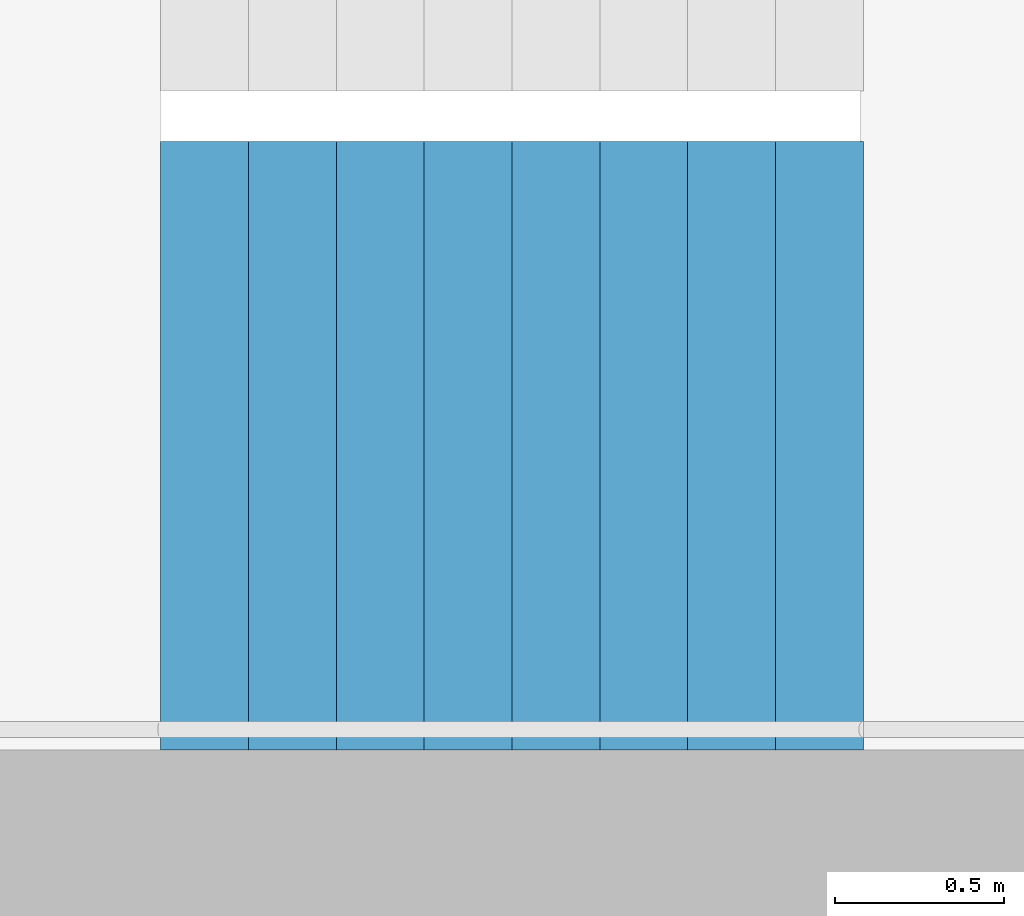
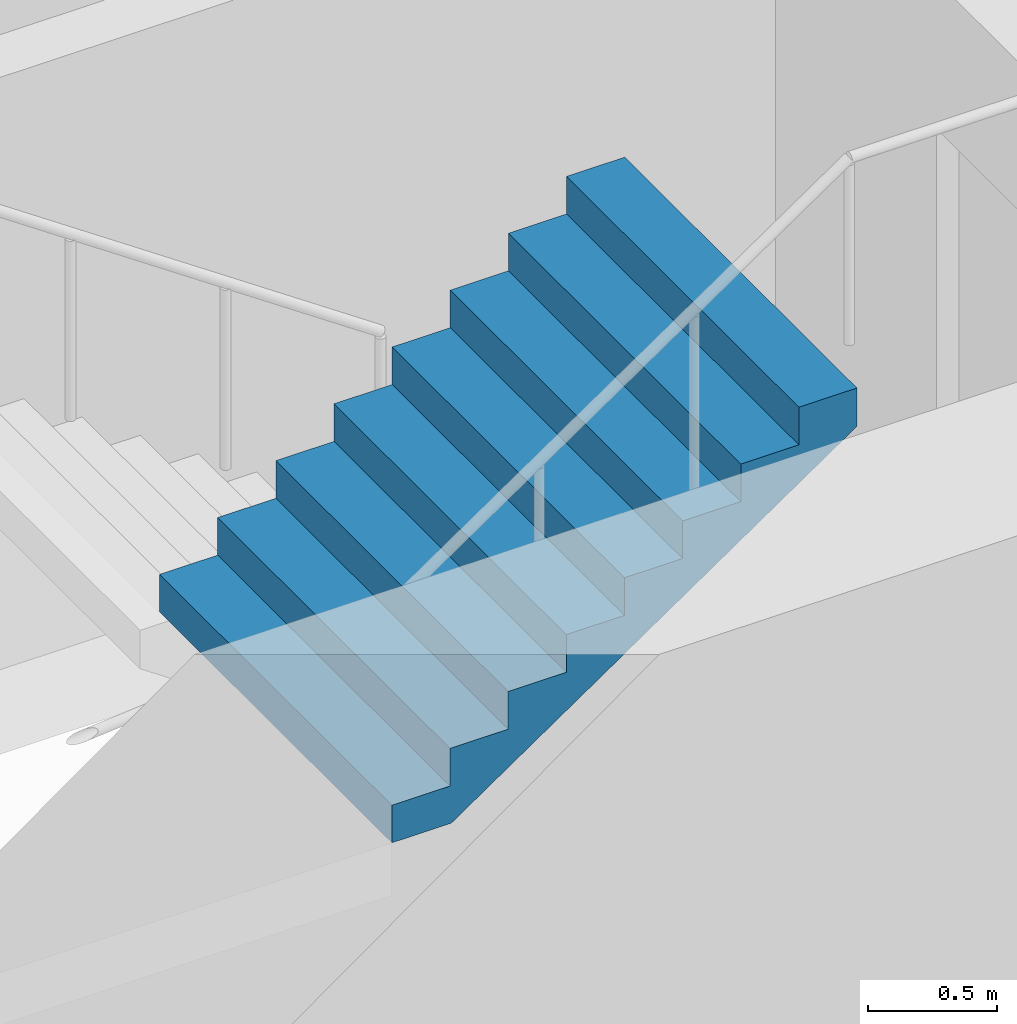
# One storey, part 21 of 29: 1 stair flight, 1 element without a shape of its own.
"""IFC4 building model written with IfcOpenShell, lengths in metres."""

from ifc_helpers import new_model, si_unit, direction, frame, origin, place, context, subcontext, project, spatial, triangles, material, type_object, element, aggregate, save


model = new_model("IFC4")

# Units and contexts
model_context = context("Model", 3, precision=1e-05, world=origin(), true_north=direction((0.0, 1.0)))
body_context = subcontext(model_context, "Body", "Model", "MODEL_VIEW")
ifc_project = project(units=[si_unit("LENGTHUNIT", "METRE"), si_unit("AREAUNIT", "SQUARE_METRE"), si_unit("VOLUMEUNIT", "CUBIC_METRE"), si_unit("PLANEANGLEUNIT", "RADIAN"), si_unit("MASSUNIT", "GRAM", prefix="KILO")], contexts=[model_context])

# Site, building, storey
site_placement = place(None, origin())
site = spatial("IfcSite", under=ifc_project, at=site_placement, CompositionType="ELEMENT")
building_placement = place(site_placement, origin())
building = spatial("IfcBuilding", under=site, at=building_placement, Name="Hakoniwa Tower and Hamabe Station Hall", CompositionType="ELEMENT")
storey_placement = place(building_placement, frame((0.0, 0.0, 75.39990234375)))
storey = spatial("IfcBuildingStorey", under=building, at=storey_placement, Name="L20", CompositionType="ELEMENT", Elevation=75.39990234375)

# Stair, stair flight
ifc_material_1 = material(Name="Concrete C40", Category="concrete")
stair_type = type_object("IfcStairType", Name="ESCAPE STAIR 1800", PredefinedType="HALF_TURN_STAIR", material=ifc_material_1)
stair_placement = place(storey_placement, origin())
stair = element("IfcStair", 1, at=stair_placement, inside=storey, type_object=stair_type, Name="Escape stair ST-2 L20", PredefinedType="HALF_TURN_STAIR")
ifc_material_2 = material(Name="Concrete C40", Category="concrete")
stair_flight_type = type_object("IfcStairFlightType", Name="STAIR FLIGHT 1800", PredefinedType="STRAIGHT", material=ifc_material_2)
stair_flight_placement = place(storey_placement, frame((-25.47998046875, -6.60009765625, 1.60009765625), z_axis=(0.0, 0.0, 1.0), x_axis=(1.0, 0.0, 0.0)))
stair_flight = element("IfcStairFlight", 2, at=stair_flight_placement, type_object=stair_flight_type, Name="ST-2 flight 2", NumberOfRisers=9, NumberOfTreads=8, PredefinedType="STRAIGHT", RiserHeight=0.177777778, TreadLength=0.26, context=body_context, shape_type="Tessellation", body=[
    triangles([(0.0, 0.89990234375, 0.0), (0.260009765625, 0.89990234375, 0.0), (0.265625, 0.89990234375, 0.0), (0.52001953125, 0.89990234375, 0.174072265625), (0.780029296875, 0.89990234375, 0.351806640625), (1.0400390625, 0.89990234375, 0.529541015625), (1.300048828125, 0.89990234375, 0.707275390625), (1.56005859375, 0.89990234375, 0.885009765625), (1.820068359375, 0.89990234375, 1.062744140625), (2.080078125, 0.89990234375, 1.24072265625), (2.080078125, 0.89990234375, 1.422119140625), (1.820068359375, 0.89990234375, 1.422119140625), (1.820068359375, 0.89990234375, 1.244384765625), (1.56005859375, 0.89990234375, 1.244384765625), (1.56005859375, 0.89990234375, 1.066650390625), (1.300048828125, 0.89990234375, 1.066650390625), (1.300048828125, 0.89990234375, 0.888916015625), (1.0400390625, 0.89990234375, 0.888916015625), (1.0400390625, 0.89990234375, 0.711181640625), (0.780029296875, 0.89990234375, 0.711181640625), (0.780029296875, 0.89990234375, 0.533447265625), (0.52001953125, 0.89990234375, 0.533447265625), (0.52001953125, 0.89990234375, 0.35546875), (0.265625, 0.89990234375, 0.35546875), (0.260009765625, 0.89990234375, 0.35546875), (0.260009765625, 0.89990234375, 0.177734375), (0.0, 0.89990234375, 0.177734375), (0.0, 0.06005859375, 0.0), (0.260009765625, 0.06005859375, 0.0), (0.265625, 0.06005859375, 0.0), (0.52001953125, 0.06005859375, 0.174072265625), (0.780029296875, 0.06005859375, 0.351806640625), (1.0400390625, 0.06005859375, 0.529541015625), (1.300048828125, 0.06005859375, 0.707275390625), (1.56005859375, 0.06005859375, 0.885009765625), (1.820068359375, 0.06005859375, 1.062744140625), (2.080078125, 0.06005859375, 1.24072265625), (2.080078125, 0.06005859375, 1.422119140625), (1.820068359375, 0.06005859375, 1.422119140625), (1.820068359375, 0.06005859375, 1.244384765625), (1.56005859375, 0.06005859375, 1.244384765625), (1.56005859375, 0.06005859375, 1.066650390625), (1.300048828125, 0.06005859375, 1.066650390625), (1.300048828125, 0.06005859375, 0.888916015625), (1.0400390625, 0.06005859375, 0.888916015625), (1.0400390625, 0.06005859375, 0.711181640625), (0.780029296875, 0.06005859375, 0.711181640625), (0.780029296875, 0.06005859375, 0.533447265625), (0.52001953125, 0.06005859375, 0.533447265625), (0.52001953125, 0.06005859375, 0.35546875), (0.265625, 0.06005859375, 0.35546875), (0.260009765625, 0.06005859375, 0.35546875), (0.260009765625, 0.06005859375, 0.177734375), (0.0, 0.06005859375, 0.177734375), (0.0, 0.04296875, 0.0), (0.260009765625, 0.04296875, 0.0), (0.265625, 0.04296875, 0.0), (0.52001953125, 0.04296875, 0.174072265625), (0.780029296875, 0.04296875, 0.351806640625), (1.0400390625, 0.04296875, 0.529541015625), (1.300048828125, 0.04296875, 0.707275390625), (1.56005859375, 0.04296875, 0.885009765625), (1.820068359375, 0.04296875, 1.062744140625), (2.080078125, 0.04296875, 1.24072265625), (2.080078125, 0.04296875, 1.422119140625), (1.820068359375, 0.04296875, 1.422119140625), (1.820068359375, 0.04296875, 1.244384765625), (1.56005859375, 0.04296875, 1.244384765625), (1.56005859375, 0.04296875, 1.066650390625), (1.300048828125, 0.04296875, 1.066650390625), (1.300048828125, 0.04296875, 0.888916015625), (1.0400390625, 0.04296875, 0.888916015625), (1.0400390625, 0.04296875, 0.711181640625), (0.780029296875, 0.04296875, 0.711181640625), (0.780029296875, 0.04296875, 0.533447265625), (0.52001953125, 0.04296875, 0.533447265625), (0.52001953125, 0.04296875, 0.35546875), (0.265625, 0.04296875, 0.35546875), (0.260009765625, 0.04296875, 0.35546875), (0.260009765625, 0.04296875, 0.177734375), (0.0, 0.04296875, 0.177734375), (0.0, 0.025634765625, 0.0), (0.260009765625, 0.025634765625, 0.0), (0.265625, 0.025634765625, 0.0), (0.52001953125, 0.025634765625, 0.174072265625), (0.780029296875, 0.025634765625, 0.351806640625), (1.0400390625, 0.025634765625, 0.529541015625), (1.300048828125, 0.025634765625, 0.707275390625), (1.56005859375, 0.025634765625, 0.885009765625), (1.820068359375, 0.025634765625, 1.062744140625), (2.080078125, 0.025634765625, 1.24072265625), (2.080078125, 0.025634765625, 1.422119140625), (1.820068359375, 0.025634765625, 1.422119140625), (1.820068359375, 0.025634765625, 1.244384765625), (1.56005859375, 0.025634765625, 1.244384765625), (1.56005859375, 0.025634765625, 1.066650390625), (1.300048828125, 0.025634765625, 1.066650390625), (1.300048828125, 0.025634765625, 0.888916015625), (1.0400390625, 0.025634765625, 0.888916015625), (1.0400390625, 0.025634765625, 0.711181640625), (0.780029296875, 0.025634765625, 0.711181640625), (0.780029296875, 0.025634765625, 0.533447265625), (0.52001953125, 0.025634765625, 0.533447265625), (0.52001953125, 0.025634765625, 0.35546875), (0.265625, 0.025634765625, 0.35546875), (0.260009765625, 0.025634765625, 0.35546875), (0.260009765625, 0.025634765625, 0.177734375), (0.0, 0.025634765625, 0.177734375), (0.0, 0.008544921875, 0.0), (0.260009765625, 0.008544921875, 0.0), (0.265625, 0.008544921875, 0.0), (0.52001953125, 0.008544921875, 0.174072265625), (0.780029296875, 0.008544921875, 0.351806640625), (1.0400390625, 0.008544921875, 0.529541015625), (1.300048828125, 0.008544921875, 0.707275390625), (1.56005859375, 0.008544921875, 0.885009765625), (1.820068359375, 0.008544921875, 1.062744140625), (2.080078125, 0.008544921875, 1.24072265625), (2.080078125, 0.008544921875, 1.422119140625), (1.820068359375, 0.008544921875, 1.422119140625), (1.820068359375, 0.008544921875, 1.244384765625), (1.56005859375, 0.008544921875, 1.244384765625), (1.56005859375, 0.008544921875, 1.066650390625), (1.300048828125, 0.008544921875, 1.066650390625), (1.300048828125, 0.008544921875, 0.888916015625), (1.0400390625, 0.008544921875, 0.888916015625), (1.0400390625, 0.008544921875, 0.711181640625), (0.780029296875, 0.008544921875, 0.711181640625), (0.780029296875, 0.008544921875, 0.533447265625), (0.52001953125, 0.008544921875, 0.533447265625), (0.52001953125, 0.008544921875, 0.35546875), (0.265625, 0.008544921875, 0.35546875), (0.260009765625, 0.008544921875, 0.35546875), (0.260009765625, 0.008544921875, 0.177734375), (0.0, 0.008544921875, 0.177734375), (0.0, -0.008544921875, 0.0), (0.260009765625, -0.008544921875, 0.0), (0.265625, -0.008544921875, 0.0), (0.52001953125, -0.008544921875, 0.174072265625), (0.780029296875, -0.008544921875, 0.351806640625), (1.0400390625, -0.008544921875, 0.529541015625), (1.300048828125, -0.008544921875, 0.707275390625), (1.56005859375, -0.008544921875, 0.885009765625), (1.820068359375, -0.008544921875, 1.062744140625), (2.080078125, -0.008544921875, 1.24072265625), (2.080078125, -0.008544921875, 1.422119140625), (1.820068359375, -0.008544921875, 1.422119140625), (1.820068359375, -0.008544921875, 1.244384765625), (1.56005859375, -0.008544921875, 1.244384765625), (1.56005859375, -0.008544921875, 1.066650390625), (1.300048828125, -0.008544921875, 1.066650390625), (1.300048828125, -0.008544921875, 0.888916015625), (1.0400390625, -0.008544921875, 0.888916015625), (1.0400390625, -0.008544921875, 0.711181640625), (0.780029296875, -0.008544921875, 0.711181640625), (0.780029296875, -0.008544921875, 0.533447265625), (0.52001953125, -0.008544921875, 0.533447265625), (0.52001953125, -0.008544921875, 0.35546875), (0.265625, -0.008544921875, 0.35546875), (0.260009765625, -0.008544921875, 0.35546875), (0.260009765625, -0.008544921875, 0.177734375), (0.0, -0.008544921875, 0.177734375), (0.0, -0.025634765625, 0.0), (0.260009765625, -0.025634765625, 0.0), (0.265625, -0.025634765625, 0.0), (0.52001953125, -0.025634765625, 0.174072265625), (0.780029296875, -0.025634765625, 0.351806640625), (1.0400390625, -0.025634765625, 0.529541015625), (1.300048828125, -0.025634765625, 0.707275390625), (1.56005859375, -0.025634765625, 0.885009765625), (1.820068359375, -0.025634765625, 1.062744140625), (2.080078125, -0.025634765625, 1.24072265625), (2.080078125, -0.025634765625, 1.422119140625), (1.820068359375, -0.025634765625, 1.422119140625), (1.820068359375, -0.025634765625, 1.244384765625), (1.56005859375, -0.025634765625, 1.244384765625), (1.56005859375, -0.025634765625, 1.066650390625), (1.300048828125, -0.025634765625, 1.066650390625), (1.300048828125, -0.025634765625, 0.888916015625), (1.0400390625, -0.025634765625, 0.888916015625), (1.0400390625, -0.025634765625, 0.711181640625), (0.780029296875, -0.025634765625, 0.711181640625), (0.780029296875, -0.025634765625, 0.533447265625), (0.52001953125, -0.025634765625, 0.533447265625), (0.52001953125, -0.025634765625, 0.35546875), (0.265625, -0.025634765625, 0.35546875), (0.260009765625, -0.025634765625, 0.35546875), (0.260009765625, -0.025634765625, 0.177734375), (0.0, -0.025634765625, 0.177734375), (0.0, -0.04296875, 0.0), (0.260009765625, -0.04296875, 0.0), (0.265625, -0.04296875, 0.0), (0.52001953125, -0.04296875, 0.174072265625), (0.780029296875, -0.04296875, 0.351806640625), (1.0400390625, -0.04296875, 0.529541015625), (1.300048828125, -0.04296875, 0.707275390625), (1.56005859375, -0.04296875, 0.885009765625), (1.820068359375, -0.04296875, 1.062744140625), (2.080078125, -0.04296875, 1.24072265625), (2.080078125, -0.04296875, 1.422119140625), (1.820068359375, -0.04296875, 1.422119140625), (1.820068359375, -0.04296875, 1.244384765625), (1.56005859375, -0.04296875, 1.244384765625), (1.56005859375, -0.04296875, 1.066650390625), (1.300048828125, -0.04296875, 1.066650390625), (1.300048828125, -0.04296875, 0.888916015625), (1.0400390625, -0.04296875, 0.888916015625), (1.0400390625, -0.04296875, 0.711181640625), (0.780029296875, -0.04296875, 0.711181640625), (0.780029296875, -0.04296875, 0.533447265625), (0.52001953125, -0.04296875, 0.533447265625), (0.52001953125, -0.04296875, 0.35546875), (0.265625, -0.04296875, 0.35546875), (0.260009765625, -0.04296875, 0.35546875), (0.260009765625, -0.04296875, 0.177734375), (0.0, -0.04296875, 0.177734375), (0.0, -0.06005859375, 0.0), (0.260009765625, -0.06005859375, 0.0), (0.265625, -0.06005859375, 0.0), (0.52001953125, -0.06005859375, 0.174072265625), (0.780029296875, -0.06005859375, 0.351806640625), (1.0400390625, -0.06005859375, 0.529541015625), (1.300048828125, -0.06005859375, 0.707275390625), (1.56005859375, -0.06005859375, 0.885009765625), (1.820068359375, -0.06005859375, 1.062744140625), (2.080078125, -0.06005859375, 1.24072265625), (2.080078125, -0.06005859375, 1.422119140625), (1.820068359375, -0.06005859375, 1.422119140625), (1.820068359375, -0.06005859375, 1.244384765625), (1.56005859375, -0.06005859375, 1.244384765625), (1.56005859375, -0.06005859375, 1.066650390625), (1.300048828125, -0.06005859375, 1.066650390625), (1.300048828125, -0.06005859375, 0.888916015625), (1.0400390625, -0.06005859375, 0.888916015625), (1.0400390625, -0.06005859375, 0.711181640625), (0.780029296875, -0.06005859375, 0.711181640625), (0.780029296875, -0.06005859375, 0.533447265625), (0.52001953125, -0.06005859375, 0.533447265625), (0.52001953125, -0.06005859375, 0.35546875), (0.265625, -0.06005859375, 0.35546875), (0.260009765625, -0.06005859375, 0.35546875), (0.260009765625, -0.06005859375, 0.177734375), (0.0, -0.06005859375, 0.177734375), (0.0, -0.89990234375, 0.0), (0.260009765625, -0.89990234375, 0.0), (0.265625, -0.89990234375, 0.0), (0.52001953125, -0.89990234375, 0.174072265625), (0.780029296875, -0.89990234375, 0.351806640625), (1.0400390625, -0.89990234375, 0.529541015625), (1.300048828125, -0.89990234375, 0.707275390625), (1.56005859375, -0.89990234375, 0.885009765625), (1.820068359375, -0.89990234375, 1.062744140625), (2.080078125, -0.89990234375, 1.24072265625), (2.080078125, -0.89990234375, 1.422119140625), (1.820068359375, -0.89990234375, 1.422119140625), (1.820068359375, -0.89990234375, 1.244384765625), (1.56005859375, -0.89990234375, 1.244384765625), (1.56005859375, -0.89990234375, 1.066650390625), (1.300048828125, -0.89990234375, 1.066650390625), (1.300048828125, -0.89990234375, 0.888916015625), (1.0400390625, -0.89990234375, 0.888916015625), (1.0400390625, -0.89990234375, 0.711181640625), (0.780029296875, -0.89990234375, 0.711181640625), (0.780029296875, -0.89990234375, 0.533447265625), (0.52001953125, -0.89990234375, 0.533447265625), (0.52001953125, -0.89990234375, 0.35546875), (0.265625, -0.89990234375, 0.35546875), (0.260009765625, -0.89990234375, 0.35546875), (0.260009765625, -0.89990234375, 0.177734375), (0.0, -0.89990234375, 0.177734375)], [[2, 27, 26], [245, 269, 270], [2, 1, 27], [245, 270, 244], [3, 25, 24], [246, 267, 268], [3, 26, 25], [246, 268, 269], [3, 2, 26], [246, 269, 245], [4, 24, 23], [247, 266, 267], [4, 3, 24], [247, 267, 246], [5, 22, 21], [248, 264, 265], [5, 23, 22], [248, 265, 266], [5, 4, 23], [248, 266, 247], [6, 20, 19], [249, 262, 263], [6, 21, 20], [249, 263, 264], [6, 5, 21], [249, 264, 248], [7, 18, 17], [250, 260, 261], [7, 19, 18], [250, 261, 262], [7, 6, 19], [250, 262, 249], [8, 16, 15], [251, 258, 259], [8, 17, 16], [251, 259, 260], [8, 7, 17], [251, 260, 250], [9, 14, 13], [252, 256, 257], [9, 15, 14], [252, 257, 258], [9, 8, 15], [252, 258, 251], [10, 12, 11], [253, 254, 255], [10, 13, 12], [253, 255, 256], [10, 9, 13], [253, 256, 252], [1, 2, 29], [1, 29, 28], [28, 29, 56], [28, 56, 55], [55, 56, 83], [55, 83, 82], [82, 83, 110], [82, 110, 109], [109, 110, 137], [109, 137, 136], [136, 137, 164], [136, 164, 163], [163, 164, 191], [163, 191, 190], [190, 191, 218], [190, 218, 217], [217, 218, 245], [217, 245, 244], [2, 3, 30], [2, 30, 29], [29, 30, 57], [29, 57, 56], [56, 57, 84], [56, 84, 83], [83, 84, 111], [83, 111, 110], [110, 111, 138], [110, 138, 137], [137, 138, 165], [137, 165, 164], [164, 165, 192], [164, 192, 191], [191, 192, 219], [191, 219, 218], [218, 219, 246], [218, 246, 245], [3, 4, 31], [3, 31, 30], [30, 31, 58], [30, 58, 57], [57, 58, 85], [57, 85, 84], [84, 85, 112], [84, 112, 111], [111, 112, 139], [111, 139, 138], [138, 139, 166], [138, 166, 165], [165, 166, 193], [165, 193, 192], [192, 193, 220], [192, 220, 219], [219, 220, 247], [219, 247, 246], [4, 5, 32], [4, 32, 31], [31, 32, 59], [31, 59, 58], [58, 59, 86], [58, 86, 85], [85, 86, 113], [85, 113, 112], [112, 113, 140], [112, 140, 139], [139, 140, 167], [139, 167, 166], [166, 167, 194], [166, 194, 193], [193, 194, 221], [193, 221, 220], [220, 221, 248], [220, 248, 247], [5, 6, 33], [5, 33, 32], [32, 33, 60], [32, 60, 59], [59, 60, 87], [59, 87, 86], [86, 87, 114], [86, 114, 113], [113, 114, 141], [113, 141, 140], [140, 141, 168], [140, 168, 167], [167, 168, 195], [167, 195, 194], [194, 195, 222], [194, 222, 221], [221, 222, 249], [221, 249, 248], [6, 7, 34], [6, 34, 33], [33, 34, 61], [33, 61, 60], [60, 61, 88], [60, 88, 87], [87, 88, 115], [87, 115, 114], [114, 115, 142], [114, 142, 141], [141, 142, 169], [141, 169, 168], [168, 169, 196], [168, 196, 195], [195, 196, 223], [195, 223, 222], [222, 223, 250], [222, 250, 249], [7, 8, 35], [7, 35, 34], [34, 35, 62], [34, 62, 61], [61, 62, 89], [61, 89, 88], [88, 89, 116], [88, 116, 115], [115, 116, 143], [115, 143, 142], [142, 143, 170], [142, 170, 169], [169, 170, 197], [169, 197, 196], [196, 197, 224], [196, 224, 223], [223, 224, 251], [223, 251, 250], [8, 9, 36], [8, 36, 35], [35, 36, 63], [35, 63, 62], [62, 63, 90], [62, 90, 89], [89, 90, 117], [89, 117, 116], [116, 117, 144], [116, 144, 143], [143, 144, 171], [143, 171, 170], [170, 171, 198], [170, 198, 197], [197, 198, 225], [197, 225, 224], [224, 225, 252], [224, 252, 251], [9, 10, 37], [9, 37, 36], [36, 37, 64], [36, 64, 63], [63, 64, 91], [63, 91, 90], [90, 91, 118], [90, 118, 117], [117, 118, 145], [117, 145, 144], [144, 145, 172], [144, 172, 171], [171, 172, 199], [171, 199, 198], [198, 199, 226], [198, 226, 225], [225, 226, 253], [225, 253, 252], [10, 11, 38], [10, 38, 37], [37, 38, 65], [37, 65, 64], [64, 65, 92], [64, 92, 91], [91, 92, 119], [91, 119, 118], [118, 119, 146], [118, 146, 145], [145, 146, 173], [145, 173, 172], [172, 173, 200], [172, 200, 199], [199, 200, 227], [199, 227, 226], [226, 227, 254], [226, 254, 253], [11, 12, 39], [11, 39, 38], [38, 39, 66], [38, 66, 65], [65, 66, 93], [65, 93, 92], [92, 93, 120], [92, 120, 119], [119, 120, 147], [119, 147, 146], [146, 147, 174], [146, 174, 173], [173, 174, 201], [173, 201, 200], [200, 201, 228], [200, 228, 227], [227, 228, 255], [227, 255, 254], [12, 13, 40], [12, 40, 39], [39, 40, 67], [39, 67, 66], [66, 67, 94], [66, 94, 93], [93, 94, 121], [93, 121, 120], [120, 121, 148], [120, 148, 147], [147, 148, 175], [147, 175, 174], [174, 175, 202], [174, 202, 201], [201, 202, 229], [201, 229, 228], [228, 229, 256], [228, 256, 255], [13, 14, 41], [13, 41, 40], [40, 41, 68], [40, 68, 67], [67, 68, 95], [67, 95, 94], [94, 95, 122], [94, 122, 121], [121, 122, 149], [121, 149, 148], [148, 149, 176], [148, 176, 175], [175, 176, 203], [175, 203, 202], [202, 203, 230], [202, 230, 229], [229, 230, 257], [229, 257, 256], [14, 15, 42], [14, 42, 41], [41, 42, 69], [41, 69, 68], [68, 69, 96], [68, 96, 95], [95, 96, 123], [95, 123, 122], [122, 123, 150], [122, 150, 149], [149, 150, 177], [149, 177, 176], [176, 177, 204], [176, 204, 203], [203, 204, 231], [203, 231, 230], [230, 231, 258], [230, 258, 257], [15, 16, 43], [15, 43, 42], [42, 43, 70], [42, 70, 69], [69, 70, 97], [69, 97, 96], [96, 97, 124], [96, 124, 123], [123, 124, 151], [123, 151, 150], [150, 151, 178], [150, 178, 177], [177, 178, 205], [177, 205, 204], [204, 205, 232], [204, 232, 231], [231, 232, 259], [231, 259, 258], [16, 17, 44], [16, 44, 43], [43, 44, 71], [43, 71, 70], [70, 71, 98], [70, 98, 97], [97, 98, 125], [97, 125, 124], [124, 125, 152], [124, 152, 151], [151, 152, 179], [151, 179, 178], [178, 179, 206], [178, 206, 205], [205, 206, 233], [205, 233, 232], [232, 233, 260], [232, 260, 259], [17, 18, 45], [17, 45, 44], [44, 45, 72], [44, 72, 71], [71, 72, 99], [71, 99, 98], [98, 99, 126], [98, 126, 125], [125, 126, 153], [125, 153, 152], [152, 153, 180], [152, 180, 179], [179, 180, 207], [179, 207, 206], [206, 207, 234], [206, 234, 233], [233, 234, 261], [233, 261, 260], [18, 19, 46], [18, 46, 45], [45, 46, 73], [45, 73, 72], [72, 73, 100], [72, 100, 99], [99, 100, 127], [99, 127, 126], [126, 127, 154], [126, 154, 153], [153, 154, 181], [153, 181, 180], [180, 181, 208], [180, 208, 207], [207, 208, 235], [207, 235, 234], [234, 235, 262], [234, 262, 261], [19, 20, 47], [19, 47, 46], [46, 47, 74], [46, 74, 73], [73, 74, 101], [73, 101, 100], [100, 101, 128], [100, 128, 127], [127, 128, 155], [127, 155, 154], [154, 155, 182], [154, 182, 181], [181, 182, 209], [181, 209, 208], [208, 209, 236], [208, 236, 235], [235, 236, 263], [235, 263, 262], [20, 21, 48], [20, 48, 47], [47, 48, 75], [47, 75, 74], [74, 75, 102], [74, 102, 101], [101, 102, 129], [101, 129, 128], [128, 129, 156], [128, 156, 155], [155, 156, 183], [155, 183, 182], [182, 183, 210], [182, 210, 209], [209, 210, 237], [209, 237, 236], [236, 237, 264], [236, 264, 263], [21, 22, 49], [21, 49, 48], [48, 49, 76], [48, 76, 75], [75, 76, 103], [75, 103, 102], [102, 103, 130], [102, 130, 129], [129, 130, 157], [129, 157, 156], [156, 157, 184], [156, 184, 183], [183, 184, 211], [183, 211, 210], [210, 211, 238], [210, 238, 237], [237, 238, 265], [237, 265, 264], [22, 23, 50], [22, 50, 49], [49, 50, 77], [49, 77, 76], [76, 77, 104], [76, 104, 103], [103, 104, 131], [103, 131, 130], [130, 131, 158], [130, 158, 157], [157, 158, 185], [157, 185, 184], [184, 185, 212], [184, 212, 211], [211, 212, 239], [211, 239, 238], [238, 239, 266], [238, 266, 265], [23, 24, 51], [23, 51, 50], [50, 51, 78], [50, 78, 77], [77, 78, 105], [77, 105, 104], [104, 105, 132], [104, 132, 131], [131, 132, 159], [131, 159, 158], [158, 159, 186], [158, 186, 185], [185, 186, 213], [185, 213, 212], [212, 213, 240], [212, 240, 239], [239, 240, 267], [239, 267, 266], [24, 25, 52], [24, 52, 51], [51, 52, 79], [51, 79, 78], [78, 79, 106], [78, 106, 105], [105, 106, 133], [105, 133, 132], [132, 133, 160], [132, 160, 159], [159, 160, 187], [159, 187, 186], [186, 187, 214], [186, 214, 213], [213, 214, 241], [213, 241, 240], [240, 241, 268], [240, 268, 267], [25, 26, 53], [25, 53, 52], [52, 53, 80], [52, 80, 79], [79, 80, 107], [79, 107, 106], [106, 107, 134], [106, 134, 133], [133, 134, 161], [133, 161, 160], [160, 161, 188], [160, 188, 187], [187, 188, 215], [187, 215, 214], [214, 215, 242], [214, 242, 241], [241, 242, 269], [241, 269, 268], [26, 27, 54], [26, 54, 53], [53, 54, 81], [53, 81, 80], [80, 81, 108], [80, 108, 107], [107, 108, 135], [107, 135, 134], [134, 135, 162], [134, 162, 161], [161, 162, 189], [161, 189, 188], [188, 189, 216], [188, 216, 215], [215, 216, 243], [215, 243, 242], [242, 243, 270], [242, 270, 269], [27, 1, 28], [27, 28, 54], [54, 28, 55], [54, 55, 81], [81, 55, 82], [81, 82, 108], [108, 82, 109], [108, 109, 135], [135, 109, 136], [135, 136, 162], [162, 136, 163], [162, 163, 189], [189, 163, 190], [189, 190, 216], [216, 190, 217], [216, 217, 243], [243, 217, 244], [243, 244, 270]], closed=True),
])
aggregate(stair, [stair_flight])

save(model, "model.ifc")
